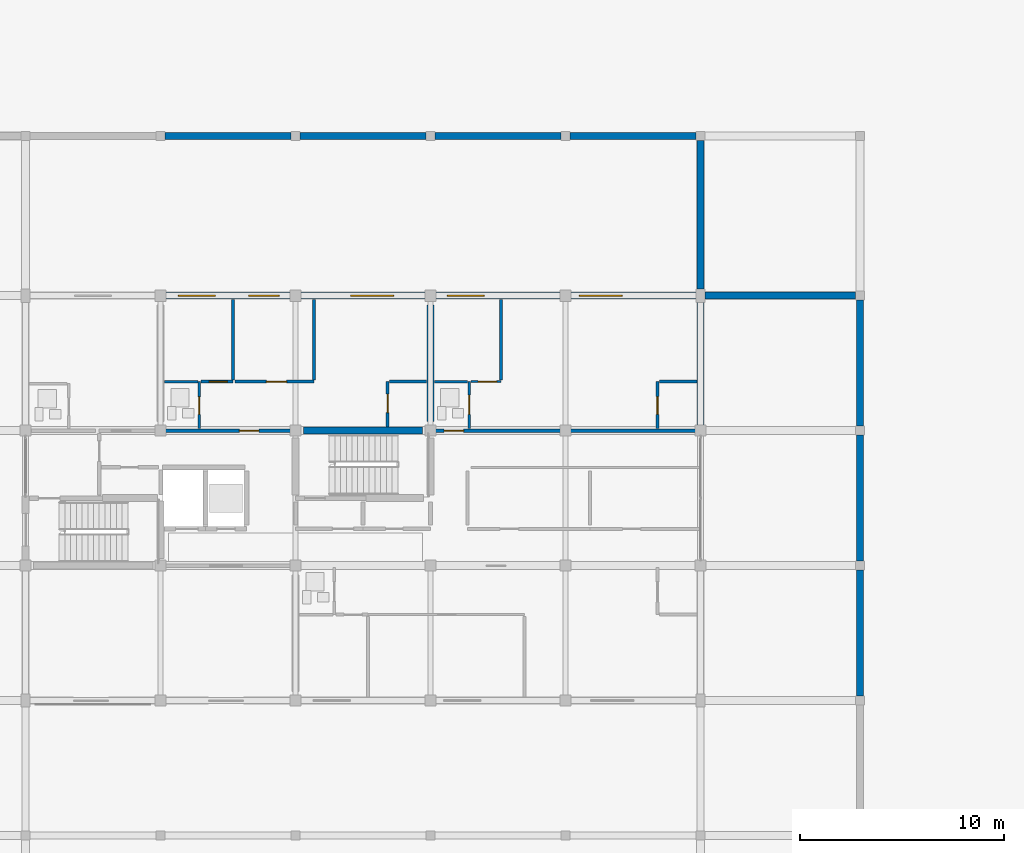
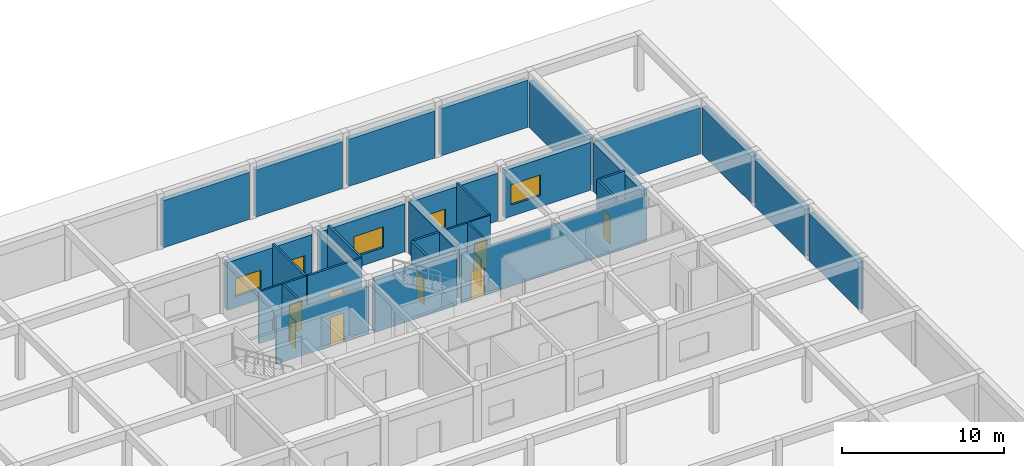
# One storey, part 62 of 75: 32 walls, 9 doors, 5 windows, 14 openings.
"""IFC4 building model written with IfcOpenShell, lengths in metres."""

from ifc_helpers import new_model, si_unit, direction, frame, frame_2d, origin, place, context, subcontext, project, spatial, rectangle, extrude, material, layer, layer_set, type_object, element, fill, save


model = new_model("IFC4")

# Units and contexts
model_context = context("Model", 3, precision=1e-05, world=origin(), true_north=direction((0.0, 1.0)))
body_context = subcontext(model_context, "Body", "Model", "MODEL_VIEW")
ifc_project = project(units=[si_unit("LENGTHUNIT", "METRE"), si_unit("AREAUNIT", "SQUARE_METRE"), si_unit("VOLUMEUNIT", "CUBIC_METRE"), si_unit("PLANEANGLEUNIT", "RADIAN"), si_unit("MASSUNIT", "GRAM", prefix="KILO")], contexts=[model_context])

# Site, building, storey
site_placement = place(None, origin())
site = spatial("IfcSite", under=ifc_project, at=site_placement, CompositionType="ELEMENT")
building_placement = place(site_placement, origin())
building = spatial("IfcBuilding", under=site, at=building_placement, Name="Kernevlak Ridge Housing Community", CompositionType="ELEMENT")
storey_placement = place(building_placement, origin())
storey = spatial("IfcBuildingStorey", under=building, at=storey_placement, Name="L00", CompositionType="ELEMENT", Elevation=0.0)

# Wall, openings, windows
ifc_material_1 = material(Name="Concrete block masonry M10", Category="masonry")
ifc_layer_1 = layer(ifc_material_1, 0.340087890625, Name="Concrete block masonry M10")
ifc_layer_set_1 = layer_set([ifc_layer_1], Name="Concrete block masonry M10")
wall_type_1 = type_object("IfcWallType", Name="EW-04", PredefinedType="STANDARD", material=ifc_layer_set_1)
wall_1_placement = place(storey_placement, frame((126.27490234375, 102.39990234375, 0.0), z_axis=(0.0, 0.0, 1.0), x_axis=(1.0, 0.0, 0.0)))
wall_1 = element("IfcWall", 1, at=wall_1_placement, inside=storey, type_object=wall_type_1, Name="Exterior wall EW-04 L00 301", PredefinedType="STANDARD", context=body_context, shape_type="SweptSolid", body=[
    extrude(rectangle(XDim=6.050048828125, YDim=0.340087890625, at=frame_2d((3.02490234375, 0.0))), origin(), (0.0, 0.0, 1.0), 3.60009765625),
])
opening_1_placement = place(wall_1_placement, frame((0.60009765625, 0.0, 0.85009765625)))
opening_1 = element("IfcOpeningElement", 2, at=opening_1_placement, cuts=wall_1, Name="Opening WT-03", PredefinedType="OPENING", context=body_context, shape_type="SweptSolid", body=[
    extrude(rectangle(XDim=1.800048828125, YDim=1.35009765625, at=frame_2d((0.89990234375, 0.675048828125))), frame((0.0, 0.179931640625, 0.0), z_axis=(0.0, -1.0, 0.0), x_axis=(1.0, 0.0, 0.0)), (0.0, 0.0, 1.0), 0.360107421875),
])
opening_2_placement = place(wall_1_placement, frame((4.02490234375, 0.0, 0.85009765625)))
opening_2 = element("IfcOpeningElement", 3, at=opening_2_placement, cuts=wall_1, Name="Opening WT-02", PredefinedType="OPENING", context=body_context, shape_type="SweptSolid", body=[
    extrude(rectangle(XDim=1.5, YDim=1.35009765625, at=frame_2d((0.75, 0.675048828125))), frame((0.0, 0.179931640625, 0.0), z_axis=(0.0, -1.0, 0.0), x_axis=(1.0, 0.0, 0.0)), (0.0, 0.0, 1.0), 0.360107421875),
])
ifc_material_2 = material(Name="Aluminium EN AW-6060 anodised and laminated glass", Category="aluminium")
window_type_1 = type_object("IfcWindowType", Name="WT-02", PartitioningType="SINGLE_PANEL", PredefinedType="WINDOW", material=ifc_material_2)
window_1_placement = place(opening_2_placement, origin())
window_1 = element("IfcWindow", 4, at=window_1_placement, inside=storey, type_object=window_type_1, Name="Window WT-02 L00 232", OverallHeight=1.35009765625, OverallWidth=1.5, PartitioningType="SINGLE_PANEL", PredefinedType="WINDOW", context=body_context, shape_type="SweptSolid", body=[
    extrude(rectangle(XDim=1.5, YDim=1.35009765625, at=frame_2d((0.75, 0.675048828125))), frame((0.0, 0.030029296875, 0.0), z_axis=(0.0, -1.0, 0.0), x_axis=(1.0, 0.0, 0.0)), (0.0, 0.0, 1.0), 0.06005859375),
])
fill(opening_2, window_1)
window_type_2 = type_object("IfcWindowType", Name="WT-03", PartitioningType="SINGLE_PANEL", PredefinedType="WINDOW", material=ifc_material_2)
window_2_placement = place(opening_1_placement, origin())
window_2 = element("IfcWindow", 5, at=window_2_placement, inside=storey, type_object=window_type_2, Name="Window WT-03 L00 231", OverallHeight=1.35009765625, OverallWidth=1.800048828125, PartitioningType="SINGLE_PANEL", PredefinedType="WINDOW", context=body_context, shape_type="SweptSolid", body=[
    extrude(rectangle(XDim=1.800048828125, YDim=1.35009765625, at=frame_2d((0.89990234375, 0.675048828125))), frame((0.0, 0.030029296875, 0.0), z_axis=(0.0, -1.0, 0.0), x_axis=(1.0, 0.0, 0.0)), (0.0, 0.0, 1.0), 0.06005859375),
])
fill(opening_1, window_2)

# Wall, opening, window
wall_2_placement = place(storey_placement, frame((132.875, 102.39990234375, 0.0), z_axis=(0.0, 0.0, 1.0), x_axis=(1.0, 0.0, 0.0)))
wall_2 = element("IfcWall", 6, at=wall_2_placement, inside=storey, type_object=wall_type_1, Name="Exterior wall EW-04 L00 302", PredefinedType="STANDARD", context=body_context, shape_type="SweptSolid", body=[
    extrude(rectangle(XDim=6.050048828125, YDim=0.340087890625, at=frame_2d((3.02490234375, 0.0))), origin(), (0.0, 0.0, 1.0), 3.60009765625),
])
opening_3_placement = place(wall_2_placement, frame((2.4208984375, 0.0, 0.85009765625)))
opening_3 = element("IfcOpeningElement", 7, at=opening_3_placement, cuts=wall_2, Name="Opening WT-05", PredefinedType="OPENING", context=body_context, shape_type="SweptSolid", body=[
    extrude(rectangle(XDim=2.10009765625, YDim=1.550048828125, at=frame_2d((1.050048828125, 0.77490234375))), frame((0.0, 0.179931640625, 0.0), z_axis=(0.0, -1.0, 0.0), x_axis=(1.0, 0.0, 0.0)), (0.0, 0.0, 1.0), 0.360107421875),
])
window_type_3 = type_object("IfcWindowType", Name="WT-05", PartitioningType="SINGLE_PANEL", PredefinedType="WINDOW", material=ifc_material_2)
window_3_placement = place(opening_3_placement, origin())
window_3 = element("IfcWindow", 8, at=window_3_placement, inside=storey, type_object=window_type_3, Name="Window WT-05 L00 233", OverallHeight=1.550048828125, OverallWidth=2.10009765625, PartitioningType="SINGLE_PANEL", PredefinedType="WINDOW", context=body_context, shape_type="SweptSolid", body=[
    extrude(rectangle(XDim=2.10009765625, YDim=1.550048828125, at=frame_2d((1.050048828125, 0.77490234375))), frame((0.0, 0.030029296875, 0.0), z_axis=(0.0, -1.0, 0.0), x_axis=(1.0, 0.0, 0.0)), (0.0, 0.0, 1.0), 0.06005859375),
])
fill(opening_3, window_3)

wall_3_placement = place(storey_placement, frame((139.47509765625, 102.39990234375, 0.0), z_axis=(0.0, 0.0, 1.0), x_axis=(1.0, 0.0, 0.0)))
wall_3 = element("IfcWall", 9, at=wall_3_placement, inside=storey, type_object=wall_type_1, Name="Exterior wall EW-04 L00 303", PredefinedType="STANDARD", context=body_context, shape_type="SweptSolid", body=[
    extrude(rectangle(XDim=6.0498046875, YDim=0.340087890625, at=frame_2d((3.02490234375, 0.0))), origin(), (0.0, 0.0, 1.0), 3.60009765625),
])
opening_4_placement = place(wall_3_placement, frame((0.550048828125, 0.0, 0.85009765625)))
opening_4 = element("IfcOpeningElement", 10, at=opening_4_placement, cuts=wall_3, Name="Opening WT-03", PredefinedType="OPENING", context=body_context, shape_type="SweptSolid", body=[
    extrude(rectangle(XDim=1.800048828125, YDim=1.35009765625, at=frame_2d((0.89990234375, 0.675048828125))), frame((0.0, 0.179931640625, 0.0), z_axis=(0.0, -1.0, 0.0), x_axis=(1.0, 0.0, 0.0)), (0.0, 0.0, 1.0), 0.360107421875),
])
window_4_placement = place(opening_4_placement, origin())
window_4 = element("IfcWindow", 11, at=window_4_placement, inside=storey, type_object=window_type_2, Name="Window WT-03 L00 234", OverallHeight=1.35009765625, OverallWidth=1.800048828125, PartitioningType="SINGLE_PANEL", PredefinedType="WINDOW", context=body_context, shape_type="SweptSolid", body=[
    extrude(rectangle(XDim=1.800048828125, YDim=1.35009765625, at=frame_2d((0.89990234375, 0.675048828125))), frame((0.0, 0.030029296875, 0.0), z_axis=(0.0, -1.0, 0.0), x_axis=(1.0, 0.0, 0.0)), (0.0, 0.0, 1.0), 0.06005859375),
])
fill(opening_4, window_4)

wall_4_placement = place(storey_placement, frame((146.074951171875, 102.39990234375, 0.0), z_axis=(0.0, 0.0, 1.0), x_axis=(1.0, 0.0, 0.0)))
wall_4 = element("IfcWall", 12, at=wall_4_placement, inside=storey, type_object=wall_type_1, Name="Exterior wall EW-04 L00 304", PredefinedType="STANDARD", context=body_context, shape_type="SweptSolid", body=[
    extrude(rectangle(XDim=6.10009765625, YDim=0.340087890625, at=frame_2d((3.050048828125, 0.0))), origin(), (0.0, 0.0, 1.0), 3.60009765625),
])
opening_5_placement = place(wall_4_placement, frame((0.39990234375, 0.0, 0.85009765625)))
opening_5 = element("IfcOpeningElement", 13, at=opening_5_placement, cuts=wall_4, Name="Opening WT-05", PredefinedType="OPENING", context=body_context, shape_type="SweptSolid", body=[
    extrude(rectangle(XDim=2.10009765625, YDim=1.550048828125, at=frame_2d((1.050048828125, 0.77490234375))), frame((0.0, 0.179931640625, 0.0), z_axis=(0.0, -1.0, 0.0), x_axis=(1.0, 0.0, 0.0)), (0.0, 0.0, 1.0), 0.360107421875),
])
window_5_placement = place(opening_5_placement, origin())
window_5 = element("IfcWindow", 14, at=window_5_placement, inside=storey, type_object=window_type_3, Name="Window WT-05 L00 235", OverallHeight=1.550048828125, OverallWidth=2.10009765625, PartitioningType="SINGLE_PANEL", PredefinedType="WINDOW", context=body_context, shape_type="SweptSolid", body=[
    extrude(rectangle(XDim=2.10009765625, YDim=1.550048828125, at=frame_2d((1.050048828125, 0.77490234375))), frame((0.0, 0.030029296875, 0.0), z_axis=(0.0, -1.0, 0.0), x_axis=(1.0, 0.0, 0.0)), (0.0, 0.0, 1.0), 0.06005859375),
])
fill(opening_5, window_5)

# Walls
wall_5_placement = place(storey_placement, frame((152.39990234375, 96.074951171875, 0.0), z_axis=(0.0, 0.0, 1.0), x_axis=(0.0, 1.0, 0.0)))
element("IfcWall", 15, at=wall_5_placement, inside=storey, type_object=wall_type_1, Name="Exterior wall EW-04 L00 308", PredefinedType="STANDARD", context=body_context, shape_type="SweptSolid", body=[
    extrude(rectangle(XDim=6.0, YDim=0.340087890625, at=frame_2d((3.0, 0.0))), origin(), (0.0, 0.0, 1.0), 3.64990234375),
])
wall_6_placement = place(storey_placement, frame((126.22509765625, 110.199951171875, 0.0), z_axis=(0.0, 0.0, 1.0), x_axis=(1.0, 0.0, 0.0)))
element("IfcWall", 16, at=wall_6_placement, inside=storey, type_object=wall_type_1, Name="Exterior wall EW-04 L00 883", PredefinedType="STANDARD", context=body_context, shape_type="SweptSolid", body=[
    extrude(rectangle(XDim=6.14990234375, YDim=0.340087890625, at=frame_2d((3.074951171875, 0.0))), origin(), (0.0, 0.0, 1.0), 3.550048828125),
])
wall_7_placement = place(storey_placement, frame((132.824951171875, 110.199951171875, 0.0), z_axis=(0.0, 0.0, 1.0), x_axis=(1.0, 0.0, 0.0)))
element("IfcWall", 17, at=wall_7_placement, inside=storey, type_object=wall_type_1, Name="Exterior wall EW-04 L00 884", PredefinedType="STANDARD", context=body_context, shape_type="SweptSolid", body=[
    extrude(rectangle(XDim=6.150146484375, YDim=0.340087890625, at=frame_2d((3.0751953125, 0.0))), origin(), (0.0, 0.0, 1.0), 3.550048828125),
])
wall_8_placement = place(storey_placement, frame((139.425048828125, 110.199951171875, 0.0), z_axis=(0.0, 0.0, 1.0), x_axis=(1.0, 0.0, 0.0)))
element("IfcWall", 18, at=wall_8_placement, inside=storey, type_object=wall_type_1, Name="Exterior wall EW-04 L00 885", PredefinedType="STANDARD", context=body_context, shape_type="SweptSolid", body=[
    extrude(rectangle(XDim=6.14990234375, YDim=0.340087890625, at=frame_2d((3.074951171875, 0.0))), origin(), (0.0, 0.0, 1.0), 3.550048828125),
])
wall_9_placement = place(storey_placement, frame((146.02490234375, 110.199951171875, 0.0), z_axis=(0.0, 0.0, 1.0), x_axis=(1.0, 0.0, 0.0)))
element("IfcWall", 19, at=wall_9_placement, inside=storey, type_object=wall_type_1, Name="Exterior wall EW-04 L00 886", PredefinedType="STANDARD", context=body_context, shape_type="SweptSolid", body=[
    extrude(rectangle(XDim=6.150146484375, YDim=0.340087890625, at=frame_2d((3.0751953125, 0.0))), origin(), (0.0, 0.0, 1.0), 3.550048828125),
])
wall_10_placement = place(storey_placement, frame((152.39990234375, 102.72509765625, 0.0), z_axis=(0.0, 0.0, 1.0), x_axis=(0.0, 1.0, 0.0)))
element("IfcWall", 20, at=wall_10_placement, inside=storey, type_object=wall_type_1, Name="Exterior wall EW-04 L00 887", PredefinedType="STANDARD", context=body_context, shape_type="SweptSolid", body=[
    extrude(rectangle(XDim=7.25, YDim=0.340087890625, at=frame_2d((3.625, 0.0))), origin(), (0.0, 0.0, 1.0), 3.5),
])
wall_11_placement = place(storey_placement, frame((152.625, 102.39990234375, 0.0), z_axis=(0.0, 0.0, 1.0), x_axis=(1.0, 0.0, 0.0)))
element("IfcWall", 21, at=wall_11_placement, inside=storey, type_object=wall_type_1, Name="Exterior wall EW-04 L00 888", PredefinedType="STANDARD", context=body_context, shape_type="SweptSolid", body=[
    extrude(rectangle(XDim=7.35009765625, YDim=0.340087890625, at=frame_2d((3.675048828125, 0.0))), origin(), (0.0, 0.0, 1.0), 3.5),
])
wall_12_placement = place(storey_placement, frame((160.199951171875, 82.824951171875, 0.0), z_axis=(0.0, 0.0, 1.0), x_axis=(0.0, 1.0, 0.0)))
element("IfcWall", 22, at=wall_12_placement, inside=storey, type_object=wall_type_1, Name="Exterior wall EW-04 L00 897", PredefinedType="STANDARD", context=body_context, shape_type="SweptSolid", body=[
    extrude(rectangle(XDim=6.150146484375, YDim=0.340087890625, at=frame_2d((3.0751953125, 0.0))), origin(), (0.0, 0.0, 1.0), 3.550048828125),
])
wall_13_placement = place(storey_placement, frame((160.199951171875, 89.425048828125, 0.0), z_axis=(0.0, 0.0, 1.0), x_axis=(0.0, 1.0, 0.0)))
element("IfcWall", 23, at=wall_13_placement, inside=storey, type_object=wall_type_1, Name="Exterior wall EW-04 L00 898", PredefinedType="STANDARD", context=body_context, shape_type="SweptSolid", body=[
    extrude(rectangle(XDim=6.14990234375, YDim=0.340087890625, at=frame_2d((3.074951171875, 0.0))), origin(), (0.0, 0.0, 1.0), 3.550048828125),
])
wall_14_placement = place(storey_placement, frame((160.199951171875, 96.02490234375, 0.0), z_axis=(0.0, 0.0, 1.0), x_axis=(0.0, 1.0, 0.0)))
element("IfcWall", 24, at=wall_14_placement, inside=storey, type_object=wall_type_1, Name="Exterior wall EW-04 L00 899", PredefinedType="STANDARD", context=body_context, shape_type="SweptSolid", body=[
    extrude(rectangle(XDim=6.150146484375, YDim=0.340087890625, at=frame_2d((3.0751953125, 0.0))), origin(), (0.0, 0.0, 1.0), 3.550048828125),
])

# Wall, opening, door
ifc_layer_2 = layer(ifc_material_1, 0.175048828125, Name="Concrete block masonry M10")
ifc_layer_set_2 = layer_set([ifc_layer_2], Name="Concrete block masonry M10")
wall_type_2 = type_object("IfcWallType", Name="PW-02", PredefinedType="PARTITIONING", material=ifc_layer_set_2)
wall_15_placement = place(storey_placement, frame((126.0, 95.800048828125, 0.0), z_axis=(0.0, 0.0, 1.0), x_axis=(1.0, 0.0, 0.0)))
wall_15 = element("IfcWall", 25, at=wall_15_placement, inside=storey, type_object=wall_type_2, Name="Interior wall PW-02 WAL-INT-L00-1192", PredefinedType="PARTITIONING", context=body_context, shape_type="SweptSolid", body=[
    extrude(rectangle(XDim=6.60009765625, YDim=0.175048828125, at=frame_2d((3.300048828125, 0.0))), origin(), (0.0, 0.0, 1.0), 3.550048828125),
])
opening_6_placement = place(wall_15_placement, frame((3.85009765625, 0.0, 0.0)))
opening_6 = element("IfcOpeningElement", 26, at=opening_6_placement, cuts=wall_15, Name="Opening D603", PredefinedType="OPENING", context=body_context, shape_type="SweptSolid", body=[
    extrude(rectangle(XDim=0.9599609375, YDim=2.179931640625, at=frame_2d((0.47998046875, 1.08984375))), frame((0.0, 0.097412109375, 0.0), z_axis=(0.0, -1.0, 0.0), x_axis=(1.0, 0.0, 0.0)), (0.0, 0.0, 1.0), 0.195068359375),
])
ifc_material_3 = material(Name="Hardwood timber solid-core fire leaf", Category="wood")
door_type_1 = type_object("IfcDoorType", Name="DT-29", OperationType="NOTDEFINED", PredefinedType="DOOR", material=ifc_material_3)
door_1_placement = place(opening_6_placement, origin())
door_1 = element("IfcDoor", 27, at=door_1_placement, inside=storey, type_object=door_type_1, Name="Flat B0022 entrance fire door D603", OperationType="SINGLE_SWING_LEFT", OverallHeight=2.179931640625, OverallWidth=0.9599609375, PredefinedType="DOOR", context=body_context, shape_type="SweptSolid", body=[
    extrude(rectangle(XDim=0.9599609375, YDim=2.179931640625, at=frame_2d((0.47998046875, 1.08984375))), frame((0.0, 0.02490234375, 0.0), z_axis=(0.0, -1.0, 0.0), x_axis=(1.0, 0.0, 0.0)), (0.0, 0.0, 1.0), 0.050048828125),
])
fill(opening_6, door_1)

wall_16_placement = place(storey_placement, frame((139.199951171875, 95.800048828125, 0.0), z_axis=(0.0, 0.0, 1.0), x_axis=(1.0, 0.0, 0.0)))
wall_16 = element("IfcWall", 28, at=wall_16_placement, inside=storey, type_object=wall_type_2, Name="Interior wall PW-02 WAL-INT-L00-1201", PredefinedType="PARTITIONING", context=body_context, shape_type="SweptSolid", body=[
    extrude(rectangle(XDim=13.199951171875, YDim=0.175048828125, at=frame_2d((6.60009765625, 0.0))), origin(), (0.0, 0.0, 1.0), 3.550048828125),
])
opening_7_placement = place(wall_16_placement, frame((0.669921875, 0.0, 0.0)))
opening_7 = element("IfcOpeningElement", 29, at=opening_7_placement, cuts=wall_16, Name="Opening D608", PredefinedType="OPENING", context=body_context, shape_type="SweptSolid", body=[
    extrude(rectangle(XDim=0.949951171875, YDim=2.10009765625, at=frame_2d((0.47509765625, 1.050048828125))), frame((0.0, 0.097412109375, 0.0), z_axis=(0.0, -1.0, 0.0), x_axis=(1.0, 0.0, 0.0)), (0.0, 0.0, 1.0), 0.195068359375),
])
door_type_2 = type_object("IfcDoorType", Name="DT-01", OperationType="NOTDEFINED", PredefinedType="DOOR", material=ifc_material_3)
door_2_placement = place(opening_7_placement, origin())
door_2 = element("IfcDoor", 30, at=door_2_placement, inside=storey, type_object=door_type_2, Name="Flat B0023 entrance fire door D608", OperationType="SINGLE_SWING_RIGHT", OverallHeight=2.10009765625, OverallWidth=0.949951171875, PredefinedType="DOOR", context=body_context, shape_type="SweptSolid", body=[
    extrude(rectangle(XDim=0.949951171875, YDim=2.10009765625, at=frame_2d((0.47509765625, 1.050048828125))), frame((0.0, 0.02490234375, 0.0), z_axis=(0.0, -1.0, 0.0), x_axis=(1.0, 0.0, 0.0)), (0.0, 0.0, 1.0), 0.050048828125),
])
fill(opening_7, door_2)

ifc_layer_3 = layer(ifc_material_1, 0.14501953125, Name="Concrete block masonry M10")
ifc_layer_set_3 = layer_set([ifc_layer_3], Name="Concrete block masonry M10")
wall_type_3 = type_object("IfcWallType", Name="PW-03", PredefinedType="PARTITIONING", material=ifc_layer_set_3)
wall_17_placement = place(storey_placement, frame((127.972412109375, 98.199951171875, 0.0), z_axis=(0.0, 0.0, 1.0), x_axis=(1.0, 0.0, 0.0)))
wall_17 = element("IfcWall", 31, at=wall_17_placement, inside=storey, type_object=wall_type_3, Name="Interior wall PW-03 WAL-INT-L00-1197", PredefinedType="PARTITIONING", context=body_context, shape_type="SweptSolid", body=[
    extrude(rectangle(XDim=1.57763671875, YDim=0.14501953125, at=frame_2d((0.788818359375, 0.0))), origin(), (0.0, 0.0, 1.0), 3.919921875),
])
opening_8_placement = place(wall_17_placement, frame((0.39990234375, 0.0, 0.0)))
opening_8 = element("IfcOpeningElement", 32, at=opening_8_placement, cuts=wall_17, Name="Opening D606", PredefinedType="OPENING", context=body_context, shape_type="SweptSolid", body=[
    extrude(rectangle(XDim=0.89990234375, YDim=2.159912109375, at=frame_2d((0.449951171875, 1.080078125))), frame((0.0, 0.08251953125, 0.0), z_axis=(0.0, -1.0, 0.0), x_axis=(1.0, 0.0, 0.0)), (0.0, 0.0, 1.0), 0.1650390625),
])
ifc_material_4 = material(Name="Hardwood timber leaf", Category="wood")
door_type_3 = type_object("IfcDoorType", Name="DT-22", OperationType="NOTDEFINED", PredefinedType="DOOR", material=ifc_material_4)
door_3_placement = place(opening_8_placement, origin())
door_3 = element("IfcDoor", 33, at=door_3_placement, inside=storey, type_object=door_type_3, Name="Flat B0022 bedroom door D606", OperationType="SINGLE_SWING_RIGHT", OverallHeight=2.159912109375, OverallWidth=0.89990234375, PredefinedType="DOOR", context=body_context, shape_type="SweptSolid", body=[
    extrude(rectangle(XDim=0.89990234375, YDim=2.159912109375, at=frame_2d((0.449951171875, 1.080078125))), frame((0.0, 0.02490234375, 0.0), z_axis=(0.0, -1.0, 0.0), x_axis=(1.0, 0.0, 0.0)), (0.0, 0.0, 1.0), 0.050048828125),
])
fill(opening_8, door_3)

# Wall
wall_18_placement = place(storey_placement, frame((129.550048828125, 98.282470703125, 0.0), z_axis=(0.0, 0.0, 1.0), x_axis=(0.0, 1.0, 0.0)))
element("IfcWall", 34, at=wall_18_placement, inside=storey, type_object=wall_type_3, Name="Interior wall PW-03 WAL-INT-L00-1198", PredefinedType="PARTITIONING", context=body_context, shape_type="SweptSolid", body=[
    extrude(rectangle(XDim=3.9375, YDim=0.14501953125, at=frame_2d((1.96875, 0.0))), origin(), (0.0, 0.0, 1.0), 3.919921875),
])

# Wall, opening, door
wall_19_placement = place(storey_placement, frame((129.632568359375, 98.199951171875, 0.0), z_axis=(0.0, 0.0, 1.0), x_axis=(1.0, 0.0, 0.0)))
wall_19 = element("IfcWall", 35, at=wall_19_placement, inside=storey, type_object=wall_type_3, Name="Interior wall PW-03 WAL-INT-L00-1199", PredefinedType="PARTITIONING", context=body_context, shape_type="SweptSolid", body=[
    extrude(rectangle(XDim=3.859375, YDim=0.14501953125, at=frame_2d((1.9296875, 0.0))), origin(), (0.0, 0.0, 1.0), 3.919921875),
])
opening_9_placement = place(wall_19_placement, frame((1.5458984375, 0.0, 0.0)))
opening_9 = element("IfcOpeningElement", 36, at=opening_9_placement, cuts=wall_19, Name="Opening D607", PredefinedType="OPENING", context=body_context, shape_type="SweptSolid", body=[
    extrude(rectangle(XDim=0.97998046875, YDim=2.1201171875, at=frame_2d((0.489990234375, 1.06005859375))), frame((0.0, 0.08251953125, 0.0), z_axis=(0.0, -1.0, 0.0), x_axis=(1.0, 0.0, 0.0)), (0.0, 0.0, 1.0), 0.1650390625),
])
door_type_4 = type_object("IfcDoorType", Name="DT-24", OperationType="NOTDEFINED", PredefinedType="DOOR", material=ifc_material_4)
door_4_placement = place(opening_9_placement, origin())
door_4 = element("IfcDoor", 37, at=door_4_placement, inside=storey, type_object=door_type_4, Name="Flat B0022 bedroom door D607", OperationType="SINGLE_SWING_LEFT", OverallHeight=2.1201171875, OverallWidth=0.97998046875, PredefinedType="DOOR", context=body_context, shape_type="SweptSolid", body=[
    extrude(rectangle(XDim=0.97998046875, YDim=2.1201171875, at=frame_2d((0.489990234375, 1.06005859375))), frame((0.0, 0.02490234375, 0.0), z_axis=(0.0, -1.0, 0.0), x_axis=(1.0, 0.0, 0.0)), (0.0, 0.0, 1.0), 0.050048828125),
])
fill(opening_9, door_4)

# Walls
wall_20_placement = place(storey_placement, frame((133.491943359375, 98.282470703125, 0.0), z_axis=(0.0, 0.0, 1.0), x_axis=(0.0, 1.0, 0.0)))
element("IfcWall", 38, at=wall_20_placement, inside=storey, type_object=wall_type_3, Name="Interior wall PW-03 WAL-INT-L00-1200", PredefinedType="PARTITIONING", context=body_context, shape_type="SweptSolid", body=[
    extrude(rectangle(XDim=3.9375, YDim=0.14501953125, at=frame_2d((1.96875, 0.0))), origin(), (0.0, 0.0, 1.0), 3.919921875),
])
wall_21_placement = place(storey_placement, frame((142.64990234375, 98.280029296875, 0.0), z_axis=(0.0, 0.0, 1.0), x_axis=(0.0, 1.0, 0.0)))
element("IfcWall", 39, at=wall_21_placement, inside=storey, type_object=wall_type_3, Name="Interior wall PW-03 WAL-INT-L00-1207", PredefinedType="PARTITIONING", context=body_context, shape_type="SweptSolid", body=[
    extrude(rectangle(XDim=3.93994140625, YDim=0.14501953125, at=frame_2d((1.969970703125, 0.0))), origin(), (0.0, 0.0, 1.0), 3.919921875),
])

# Wall, opening, door
ifc_material_5 = material(Name="Gypsum plasterboard EN 520", Category="gypsum")
ifc_layer_4 = layer(ifc_material_5, 0.125, Name="Gypsum plasterboard EN 520")
ifc_layer_set_4 = layer_set([ifc_layer_4], Name="Gypsum plasterboard EN 520")
wall_type_4 = type_object("IfcWallType", Name="PW-04", PredefinedType="PARTITIONING", material=ifc_layer_set_4)
wall_22_placement = place(storey_placement, frame((127.89990234375, 95.8974609375, 0.0), z_axis=(0.0, 0.0, 1.0), x_axis=(0.0, 1.0, 0.0)))
wall_22 = element("IfcWall", 40, at=wall_22_placement, inside=storey, type_object=wall_type_4, Name="Interior wall PW-04 WAL-INT-L00-1193", PredefinedType="PARTITIONING", context=body_context, shape_type="SweptSolid", body=[
    extrude(rectangle(XDim=2.302490234375, YDim=0.125, at=frame_2d((1.1513671875, 0.0))), origin(), (0.0, 0.0, 1.0), 3.919921875),
])
opening_10_placement = place(wall_22_placement, frame((0.699951171875, 0.0, 0.0)))
opening_10 = element("IfcOpeningElement", 41, at=opening_10_placement, cuts=wall_22, Name="Opening D604", PredefinedType="OPENING", context=body_context, shape_type="SweptSolid", body=[
    extrude(rectangle(XDim=0.85009765625, YDim=2.0400390625, at=frame_2d((0.425048828125, 1.02001953125))), frame((0.0, 0.072509765625, 0.0), z_axis=(0.0, -1.0, 0.0), x_axis=(1.0, 0.0, 0.0)), (0.0, 0.0, 1.0), 0.14501953125),
])
ifc_material_6 = material(Name="Hardwood timber moisture-resistant leaf", Category="wood")
door_type_5 = type_object("IfcDoorType", Name="DT-04", OperationType="NOTDEFINED", PredefinedType="DOOR", material=ifc_material_6)
door_5_placement = place(opening_10_placement, origin())
door_5 = element("IfcDoor", 42, at=door_5_placement, inside=storey, type_object=door_type_5, Name="Flat B0022 bathroom door D604", OperationType="SINGLE_SWING_RIGHT", OverallHeight=2.0400390625, OverallWidth=0.85009765625, PredefinedType="DOOR", context=body_context, shape_type="SweptSolid", body=[
    extrude(rectangle(XDim=0.85009765625, YDim=2.0400390625, at=frame_2d((0.425048828125, 1.02001953125))), frame((0.0, 0.02490234375, 0.0), z_axis=(0.0, -1.0, 0.0), x_axis=(1.0, 0.0, 0.0)), (0.0, 0.0, 1.0), 0.050048828125),
])
fill(opening_10, door_5)

# Wall
wall_23_placement = place(storey_placement, frame((126.18505859375, 98.199951171875, 0.0), z_axis=(0.0, 0.0, 1.0), x_axis=(1.0, 0.0, 0.0)))
element("IfcWall", 43, at=wall_23_placement, inside=storey, type_object=wall_type_4, Name="Interior wall PW-04 WAL-INT-L00-1194", PredefinedType="PARTITIONING", context=body_context, shape_type="SweptSolid", body=[
    extrude(rectangle(XDim=1.635009765625, YDim=0.125, at=frame_2d((0.8173828125, 0.0))), origin(), (0.0, 0.0, 1.0), 3.919921875),
])

# Wall, opening, door
wall_24_placement = place(storey_placement, frame((141.10009765625, 95.8974609375, 0.0), z_axis=(0.0, 0.0, 1.0), x_axis=(0.0, 1.0, 0.0)))
wall_24 = element("IfcWall", 44, at=wall_24_placement, inside=storey, type_object=wall_type_4, Name="Interior wall PW-04 WAL-INT-L00-1202", PredefinedType="PARTITIONING", context=body_context, shape_type="SweptSolid", body=[
    extrude(rectangle(XDim=2.302490234375, YDim=0.125, at=frame_2d((1.1513671875, 0.0))), origin(), (0.0, 0.0, 1.0), 3.919921875),
])
opening_11_placement = place(wall_24_placement, frame((0.699951171875, 0.0, 0.0)))
opening_11 = element("IfcOpeningElement", 45, at=opening_11_placement, cuts=wall_24, Name="Opening D609", PredefinedType="OPENING", context=body_context, shape_type="SweptSolid", body=[
    extrude(rectangle(XDim=0.93994140625, YDim=2.080078125, at=frame_2d((0.469970703125, 1.0400390625))), frame((0.0, 0.072509765625, 0.0), z_axis=(0.0, -1.0, 0.0), x_axis=(1.0, 0.0, 0.0)), (0.0, 0.0, 1.0), 0.14501953125),
])
door_type_6 = type_object("IfcDoorType", Name="DT-23", OperationType="NOTDEFINED", PredefinedType="DOOR", material=ifc_material_6)
door_6_placement = place(opening_11_placement, origin())
door_6 = element("IfcDoor", 46, at=door_6_placement, inside=storey, type_object=door_type_6, Name="Flat B0023 bathroom door D609", OperationType="SINGLE_SWING_LEFT", OverallHeight=2.080078125, OverallWidth=0.93994140625, PredefinedType="DOOR", context=body_context, shape_type="SweptSolid", body=[
    extrude(rectangle(XDim=0.93994140625, YDim=2.080078125, at=frame_2d((0.469970703125, 1.0400390625))), frame((0.0, 0.02490234375, 0.0), z_axis=(0.0, -1.0, 0.0), x_axis=(1.0, 0.0, 0.0)), (0.0, 0.0, 1.0), 0.050048828125),
])
fill(opening_11, door_6)

# Wall
wall_25_placement = place(storey_placement, frame((139.385009765625, 98.199951171875, 0.0), z_axis=(0.0, 0.0, 1.0), x_axis=(1.0, 0.0, 0.0)))
element("IfcWall", 47, at=wall_25_placement, inside=storey, type_object=wall_type_4, Name="Interior wall PW-04 WAL-INT-L00-1203", PredefinedType="PARTITIONING", context=body_context, shape_type="SweptSolid", body=[
    extrude(rectangle(XDim=1.635009765625, YDim=0.125, at=frame_2d((0.8173828125, 0.0))), origin(), (0.0, 0.0, 1.0), 3.919921875),
])

# Wall, opening, door
ifc_layer_5 = layer(ifc_material_5, 0.155029296875, Name="Gypsum plasterboard EN 520")
ifc_layer_set_5 = layer_set([ifc_layer_5], Name="Gypsum plasterboard EN 520")
wall_type_5 = type_object("IfcWallType", Name="PW-05", PredefinedType="PARTITIONING", material=ifc_layer_set_5)
wall_26_placement = place(storey_placement, frame((137.10009765625, 95.985107421875, 0.0), z_axis=(0.0, 0.0, 1.0), x_axis=(0.0, 1.0, 0.0)))
wall_26 = element("IfcWall", 48, at=wall_26_placement, inside=storey, type_object=wall_type_5, Name="Interior wall PW-05 WAL-INT-L00-1195", PredefinedType="PARTITIONING", context=body_context, shape_type="SweptSolid", body=[
    extrude(rectangle(XDim=2.21484375, YDim=0.155029296875, at=frame_2d((1.107421875, 0.0))), origin(), (0.0, 0.0, 1.0), 3.919921875),
])
opening_12_placement = place(wall_26_placement, frame((0.699951171875, 0.0, 0.0)))
opening_12 = element("IfcOpeningElement", 49, at=opening_12_placement, cuts=wall_26, Name="Opening D605", PredefinedType="OPENING", context=body_context, shape_type="SweptSolid", body=[
    extrude(rectangle(XDim=0.89990234375, YDim=2.10009765625, at=frame_2d((0.449951171875, 1.050048828125))), frame((0.0, 0.08740234375, 0.0), z_axis=(0.0, -1.0, 0.0), x_axis=(1.0, 0.0, 0.0)), (0.0, 0.0, 1.0), 0.175048828125),
])
door_type_7 = type_object("IfcDoorType", Name="DT-21", OperationType="NOTDEFINED", PredefinedType="DOOR", material=ifc_material_4)
door_7_placement = place(opening_12_placement, origin())
door_7 = element("IfcDoor", 50, at=door_7_placement, inside=storey, type_object=door_type_7, Name="Flat B0022 kitchen door D605", OperationType="SINGLE_SWING_LEFT", OverallHeight=2.10009765625, OverallWidth=0.89990234375, PredefinedType="DOOR", context=body_context, shape_type="SweptSolid", body=[
    extrude(rectangle(XDim=0.89990234375, YDim=2.10009765625, at=frame_2d((0.449951171875, 1.050048828125))), frame((0.0, 0.02490234375, 0.0), z_axis=(0.0, -1.0, 0.0), x_axis=(1.0, 0.0, 0.0)), (0.0, 0.0, 1.0), 0.050048828125),
])
fill(opening_12, door_7)

# Wall
wall_27_placement = place(storey_placement, frame((137.1875, 98.199951171875, 0.0), z_axis=(0.0, 0.0, 1.0), x_axis=(1.0, 0.0, 0.0)))
element("IfcWall", 51, at=wall_27_placement, inside=storey, type_object=wall_type_5, Name="Interior wall PW-05 WAL-INT-L00-1196", PredefinedType="PARTITIONING", context=body_context, shape_type="SweptSolid", body=[
    extrude(rectangle(XDim=1.827392578125, YDim=0.155029296875, at=frame_2d((0.91357421875, 0.0))), origin(), (0.0, 0.0, 1.0), 3.919921875),
])

# Wall, opening, door
wall_28_placement = place(storey_placement, frame((150.300048828125, 95.8974609375, 0.0), z_axis=(0.0, 0.0, 1.0), x_axis=(0.0, 1.0, 0.0)))
wall_28 = element("IfcWall", 52, at=wall_28_placement, inside=storey, type_object=wall_type_5, Name="Interior wall PW-05 WAL-INT-L00-1204", PredefinedType="PARTITIONING", context=body_context, shape_type="SweptSolid", body=[
    extrude(rectangle(XDim=2.302490234375, YDim=0.155029296875, at=frame_2d((1.1513671875, 0.0))), origin(), (0.0, 0.0, 1.0), 3.919921875),
])
opening_13_placement = place(wall_28_placement, frame((0.699951171875, 0.0, 0.0)))
opening_13 = element("IfcOpeningElement", 53, at=opening_13_placement, cuts=wall_28, Name="Opening D610", PredefinedType="OPENING", context=body_context, shape_type="SweptSolid", body=[
    extrude(rectangle(XDim=0.860107421875, YDim=2.1201171875, at=frame_2d((0.43017578125, 1.06005859375))), frame((0.0, 0.08740234375, 0.0), z_axis=(0.0, -1.0, 0.0), x_axis=(1.0, 0.0, 0.0)), (0.0, 0.0, 1.0), 0.175048828125),
])
door_type_8 = type_object("IfcDoorType", Name="DT-28", OperationType="NOTDEFINED", PredefinedType="DOOR", material=ifc_material_4)
door_8_placement = place(opening_13_placement, origin())
door_8 = element("IfcDoor", 54, at=door_8_placement, inside=storey, type_object=door_type_8, Name="Flat B0023 kitchen door D610", OperationType="SINGLE_SWING_RIGHT", OverallHeight=2.1201171875, OverallWidth=0.860107421875, PredefinedType="DOOR", context=body_context, shape_type="SweptSolid", body=[
    extrude(rectangle(XDim=0.860107421875, YDim=2.1201171875, at=frame_2d((0.43017578125, 1.06005859375))), frame((0.0, 0.02490234375, 0.0), z_axis=(0.0, -1.0, 0.0), x_axis=(1.0, 0.0, 0.0)), (0.0, 0.0, 1.0), 0.050048828125),
])
fill(opening_13, door_8)

# Wall
wall_29_placement = place(storey_placement, frame((150.387451171875, 98.199951171875, 0.0), z_axis=(0.0, 0.0, 1.0), x_axis=(1.0, 0.0, 0.0)))
element("IfcWall", 55, at=wall_29_placement, inside=storey, type_object=wall_type_5, Name="Interior wall PW-05 WAL-INT-L00-1205", PredefinedType="PARTITIONING", context=body_context, shape_type="SweptSolid", body=[
    extrude(rectangle(XDim=1.83251953125, YDim=0.155029296875, at=frame_2d((0.916259765625, 0.0))), origin(), (0.0, 0.0, 1.0), 3.919921875),
])

# Wall, opening, door
ifc_layer_6 = layer(ifc_material_5, 0.10498046875, Name="Gypsum plasterboard EN 520")
ifc_layer_set_6 = layer_set([ifc_layer_6], Name="Gypsum plasterboard EN 520")
wall_type_6 = type_object("IfcWallType", Name="PW-06", PredefinedType="PARTITIONING", material=ifc_layer_set_6)
wall_30_placement = place(storey_placement, frame((141.172607421875, 98.199951171875, 0.0), z_axis=(0.0, 0.0, 1.0), x_axis=(1.0, 0.0, 0.0)))
wall_30 = element("IfcWall", 56, at=wall_30_placement, inside=storey, type_object=wall_type_6, Name="Interior wall PW-06 WAL-INT-L00-1206", PredefinedType="PARTITIONING", context=body_context, shape_type="SweptSolid", body=[
    extrude(rectangle(XDim=1.477294921875, YDim=0.10498046875, at=frame_2d((0.73876953125, 0.0))), origin(), (0.0, 0.0, 1.0), 3.919921875),
])
opening_14_placement = place(wall_30_placement, frame((0.35009765625, 0.0, 0.0)))
opening_14 = element("IfcOpeningElement", 57, at=opening_14_placement, cuts=wall_30, Name="Opening D611", PredefinedType="OPENING", context=body_context, shape_type="SweptSolid", body=[
    extrude(rectangle(XDim=0.909912109375, YDim=2.139892578125, at=frame_2d((0.455078125, 1.06982421875))), frame((0.0, 0.0625, 0.0), z_axis=(0.0, -1.0, 0.0), x_axis=(1.0, 0.0, 0.0)), (0.0, 0.0, 1.0), 0.125),
])
door_type_9 = type_object("IfcDoorType", Name="DT-31", OperationType="NOTDEFINED", PredefinedType="DOOR", material=ifc_material_4)
door_9_placement = place(opening_14_placement, origin())
door_9 = element("IfcDoor", 58, at=door_9_placement, inside=storey, type_object=door_type_9, Name="Flat B0023 bedroom door D611", OperationType="SINGLE_SWING_LEFT", OverallHeight=2.139892578125, OverallWidth=0.909912109375, PredefinedType="DOOR", context=body_context, shape_type="SweptSolid", body=[
    extrude(rectangle(XDim=0.909912109375, YDim=2.139892578125, at=frame_2d((0.455078125, 1.06982421875))), frame((0.0, 0.02490234375, 0.0), z_axis=(0.0, -1.0, 0.0), x_axis=(1.0, 0.0, 0.0)), (0.0, 0.0, 1.0), 0.050048828125),
])
fill(opening_14, door_9)

# Walls
ifc_material_7 = material(Name="Concrete C40/50", Category="concrete")
ifc_layer_7 = layer(ifc_material_7, 0.35009765625, Name="Concrete C40/50")
ifc_layer_set_7 = layer_set([ifc_layer_7], Name="Concrete C40/50")
wall_type_7 = type_object("IfcWallType", Name="SW-01", PredefinedType="SHEAR", material=ifc_layer_set_7)
wall_31_placement = place(storey_placement, frame((132.97998046875, 95.800048828125, 0.0), z_axis=(0.0, 0.0, 1.0), x_axis=(1.0, 0.0, 0.0)))
element("IfcWall", 59, at=wall_31_placement, inside=storey, type_object=wall_type_7, Name="Shear wall SW-01 Block B L00 214", PredefinedType="SHEAR", context=body_context, shape_type="SweptSolid", body=[
    extrude(rectangle(XDim=5.840087890625, YDim=0.35009765625, at=frame_2d((2.919921875, 0.0))), origin(), (0.0, 0.0, 1.0), 3.919921875),
])
wall_32_placement = place(storey_placement, frame((139.199951171875, 96.25, 0.0), z_axis=(0.0, 0.0, 1.0), x_axis=(0.0, 1.0, 0.0)))
element("IfcWall", 60, at=wall_32_placement, inside=storey, type_object=wall_type_7, Name="Shear wall SW-01 Block B L00 220", PredefinedType="SHEAR", context=body_context, shape_type="SweptSolid", body=[
    extrude(rectangle(XDim=5.699951171875, YDim=0.35009765625, at=frame_2d((2.85009765625, 0.0))), origin(), (0.0, 0.0, 1.0), 3.919921875),
])

save(model, "model.ifc")
